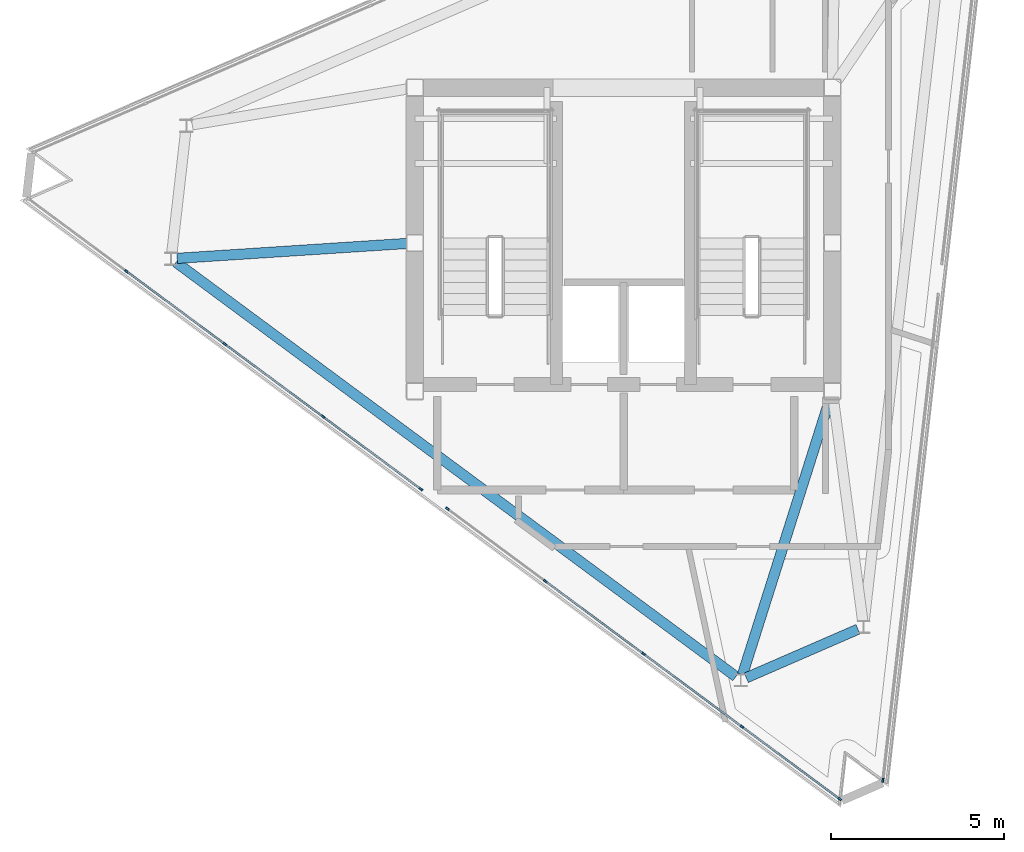
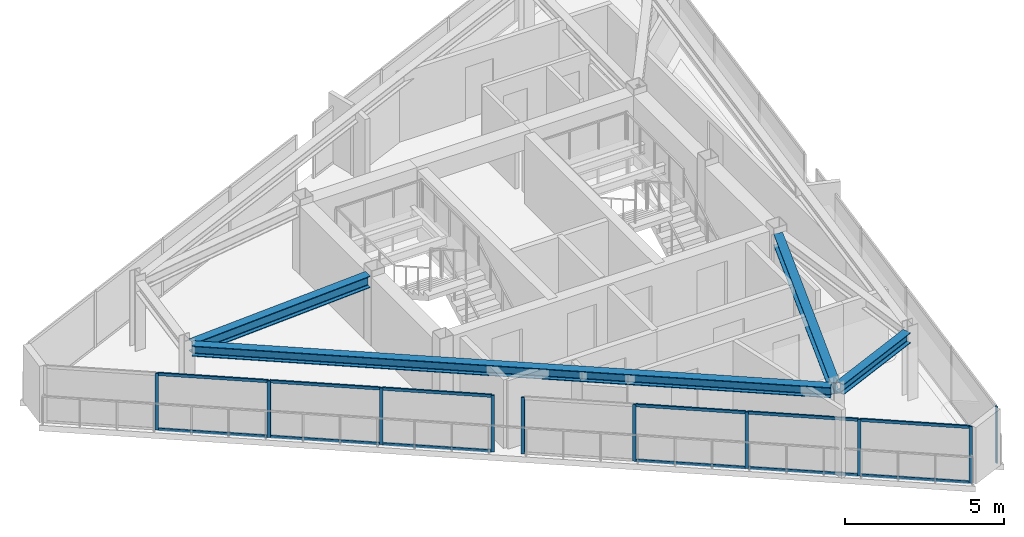
# One storey, part 2 of 9: 22 members, 4 beams, 3 elements without a shape of their own.
"""IFC4 building model written with IfcOpenShell, lengths in metres."""

from ifc_helpers import new_model, si_unit, direction, frame, origin, origin_2d, place, context, subcontext, project, spatial, rectangle, i_section, extrude, material, layer, layer_set, material_profile, profile_set, type_object, element, aggregate, save


model = new_model("IFC4")

# Units and contexts
model_context = context("Model", 3, precision=1e-05, world=origin(), true_north=direction((0.0, 1.0)))
body_context = subcontext(model_context, "Body", "Model", "MODEL_VIEW")
ifc_project = project(units=[si_unit("LENGTHUNIT", "METRE"), si_unit("AREAUNIT", "SQUARE_METRE"), si_unit("VOLUMEUNIT", "CUBIC_METRE"), si_unit("PLANEANGLEUNIT", "RADIAN"), si_unit("MASSUNIT", "GRAM", prefix="KILO")], contexts=[model_context])

# Site, building, storey
site_placement = place(None, origin())
site = spatial("IfcSite", under=ifc_project, at=site_placement, CompositionType="ELEMENT")
building_placement = place(site_placement, origin())
building = spatial("IfcBuilding", under=site, at=building_placement, Name="Rocaltana Carrier Exchange", CompositionType="ELEMENT")
storey_placement = place(building_placement, frame((0.0, 0.0, 249.1201171875)))
storey = spatial("IfcBuildingStorey", under=building, at=storey_placement, Name="L79", CompositionType="ELEMENT", Elevation=249.1201171875)

# Curtain wall, member
ifc_material_1 = material(Name="Aluminium 6063-T6", Category="aluminium")
ifc_layer = layer(ifc_material_1, 0.110107421875)
ifc_layer_set = layer_set([ifc_layer], Name="Aluminium 6063-T6")
curtain_wall_type = type_object("IfcCurtainWallType", Name="Crown Lantern Faceted Curtain Wall CW-06", PredefinedType="NOTDEFINED", material=ifc_layer_set)
curtain_wall_1_placement = place(storey_placement, origin())
curtain_wall_1 = element("IfcCurtainWall", 1, at=curtain_wall_1_placement, inside=storey, type_object=curtain_wall_type, Name="L79 CW-06 Run CW06-L79-F1S1", PredefinedType="NOTDEFINED")
ifc_material_2 = material(Name="Aluminium 6063-T6", Category="aluminium")
ifc_material_profile_1 = material_profile(ifc_material_2, rectangle(XDim=0.054931640625, YDim=0.110107421875, at=origin_2d()), Name="AL-55X110")
ifc_profile_set_1 = profile_set([ifc_material_profile_1], Name="Aluminium 6063-T6")
member_type_1 = type_object("IfcMemberType", Name="CW-06 Mullion AL-55X110", PredefinedType="MULLION", material=ifc_profile_set_1)
member_1_placement = place(storey_placement, frame((7.51611328125, -15.573486328125, 0.0), z_axis=(0.0, 0.0, 1.0), x_axis=(-0.993571723533, 0.113204373575, 0.0)))
member_1 = element("IfcMember", 2, at=member_1_placement, type_object=member_type_1, Name="CW-06 mullion 1", PredefinedType="MULLION", context=body_context, shape_type="SweptSolid", body=[
    extrude(rectangle(XDim=0.054931640625, YDim=0.110107421875, at=origin_2d()), origin(), (0.0, 0.0, 1.0), 2.16796875),
])
aggregate(curtain_wall_1, [member_1])

# Curtain wall, members
curtain_wall_2_placement = place(storey_placement, origin())
curtain_wall_2 = element("IfcCurtainWall", 3, at=curtain_wall_2_placement, inside=storey, type_object=curtain_wall_type, Name="L79 CW-06 Run CW06-L79-F3S1", PredefinedType="NOTDEFINED")
member_2_placement = place(storey_placement, frame((-14.41357421875, -0.817626953125, 0.0), z_axis=(0.0, 0.0, 1.0), x_axis=(0.594822437307, 0.803857119192, 0.0)))
member_2 = element("IfcMember", 4, at=member_2_placement, type_object=member_type_1, Name="CW-06 mullion 2", PredefinedType="MULLION", context=body_context, shape_type="SweptSolid", body=[
    extrude(rectangle(XDim=0.054931640625, YDim=0.110107421875, at=origin_2d()), origin(), (0.0, 0.0, 1.0), 2.16796875),
])
member_3_placement = place(storey_placement, frame((-11.559814453125, -2.929443359375, 0.0), z_axis=(0.0, 0.0, 1.0), x_axis=(0.594822437307, 0.803857119192, 0.0)))
member_3 = element("IfcMember", 5, at=member_3_placement, type_object=member_type_1, Name="CW-06 mullion 3", PredefinedType="MULLION", context=body_context, shape_type="SweptSolid", body=[
    extrude(rectangle(XDim=0.054931640625, YDim=0.110107421875, at=origin_2d()), origin(), (0.0, 0.0, 1.0), 2.16796875),
])
member_4_placement = place(storey_placement, frame((-8.7060546875, -5.041015625, 0.0), z_axis=(0.0, 0.0, 1.0), x_axis=(0.594822437307, 0.803857119192, 0.0)))
member_4 = element("IfcMember", 6, at=member_4_placement, type_object=member_type_1, Name="CW-06 mullion 4", PredefinedType="MULLION", context=body_context, shape_type="SweptSolid", body=[
    extrude(rectangle(XDim=0.054931640625, YDim=0.110107421875, at=origin_2d()), origin(), (0.0, 0.0, 1.0), 2.16796875),
])
member_5_placement = place(storey_placement, frame((-5.87451171875, -7.13623046875, 0.0), z_axis=(0.0, 0.0, 1.0), x_axis=(0.594822437307, 0.803857119192, 0.0)))
member_5 = element("IfcMember", 7, at=member_5_placement, type_object=member_type_1, Name="CW-06 mullion 5", PredefinedType="MULLION", context=body_context, shape_type="SweptSolid", body=[
    extrude(rectangle(XDim=0.054931640625, YDim=0.110107421875, at=origin_2d()), origin(), (0.0, 0.0, 1.0), 2.16796875),
])

curtain_wall_3_placement = place(storey_placement, origin())
curtain_wall_3 = element("IfcCurtainWall", 8, at=curtain_wall_3_placement, inside=storey, type_object=curtain_wall_type, Name="L79 CW-06 Run CW06-L79-F3S2", PredefinedType="NOTDEFINED")
member_6_placement = place(storey_placement, frame((-5.10693359375, -7.704345703125, 0.0), z_axis=(0.0, 0.0, 1.0), x_axis=(0.594822437307, 0.803857119192, 0.0)))
member_6 = element("IfcMember", 9, at=member_6_placement, type_object=member_type_1, Name="CW-06 mullion 1", PredefinedType="MULLION", context=body_context, shape_type="SweptSolid", body=[
    extrude(rectangle(XDim=0.054931640625, YDim=0.110107421875, at=origin_2d()), origin(), (0.0, 0.0, 1.0), 2.16796875),
])
member_7_placement = place(storey_placement, frame((-2.275390625, -9.799560546875, 0.0), z_axis=(0.0, 0.0, 1.0), x_axis=(0.594822437307, 0.803857119192, 0.0)))
member_7 = element("IfcMember", 10, at=member_7_placement, type_object=member_type_1, Name="CW-06 mullion 2", PredefinedType="MULLION", context=body_context, shape_type="SweptSolid", body=[
    extrude(rectangle(XDim=0.054931640625, YDim=0.110107421875, at=origin_2d()), origin(), (0.0, 0.0, 1.0), 2.16796875),
])
member_8_placement = place(storey_placement, frame((0.578369140625, -11.9111328125, 0.0), z_axis=(0.0, 0.0, 1.0), x_axis=(0.594822437307, 0.803857119192, 0.0)))
member_8 = element("IfcMember", 11, at=member_8_placement, type_object=member_type_1, Name="CW-06 mullion 3", PredefinedType="MULLION", context=body_context, shape_type="SweptSolid", body=[
    extrude(rectangle(XDim=0.054931640625, YDim=0.110107421875, at=origin_2d()), origin(), (0.0, 0.0, 1.0), 2.16796875),
])
member_9_placement = place(storey_placement, frame((3.43212890625, -14.022705078125, 0.0), z_axis=(0.0, 0.0, 1.0), x_axis=(0.594822437307, 0.803857119192, 0.0)))
member_9 = element("IfcMember", 12, at=member_9_placement, type_object=member_type_1, Name="CW-06 mullion 4", PredefinedType="MULLION", context=body_context, shape_type="SweptSolid", body=[
    extrude(rectangle(XDim=0.054931640625, YDim=0.110107421875, at=origin_2d()), origin(), (0.0, 0.0, 1.0), 2.16796875),
])
member_10_placement = place(storey_placement, frame((6.263671875, -16.1181640625, 0.0), z_axis=(0.0, 0.0, 1.0), x_axis=(0.594822437307, 0.803857119192, 0.0)))
member_10 = element("IfcMember", 13, at=member_10_placement, type_object=member_type_1, Name="CW-06 mullion 5", PredefinedType="MULLION", context=body_context, shape_type="SweptSolid", body=[
    extrude(rectangle(XDim=0.054931640625, YDim=0.110107421875, at=origin_2d()), origin(), (0.0, 0.0, 1.0), 2.16796875),
])

# Member
ifc_material_3 = material(Name="Aluminium 6063-T6", Category="aluminium")
ifc_material_profile_2 = material_profile(ifc_material_3, rectangle(XDim=0.054931640625, YDim=0.110107421875, at=origin_2d()), Name="AL-55X110")
ifc_profile_set_2 = profile_set([ifc_material_profile_2], Name="Aluminium 6063-T6")
member_type_2 = type_object("IfcMemberType", Name="CW-06 Transom AL-55X110", PredefinedType="USERDEFINED", material=ifc_profile_set_2)
member_11_placement = place(storey_placement, frame((-14.391357421875, -0.833984375, 0.02734375), z_axis=(0.80383922722, -0.594846616181, 0.0), x_axis=(0.594846616181, 0.80383922722, 0.0)))
member_11 = element("IfcMember", 14, at=member_11_placement, type_object=member_type_2, Name="CW-06 transom 2.1", ObjectType="TRANSOM", PredefinedType="USERDEFINED", context=body_context, shape_type="SweptSolid", body=[
    extrude(rectangle(XDim=0.054931640625, YDim=0.110107421875, at=origin_2d()), origin(), (0.0, 0.0, 1.0), 3.4951171875),
])

member_12_placement = place(storey_placement, frame((-14.391357421875, -0.833984375, 2.140380859375), z_axis=(0.80383922722, -0.594846616181, 0.0), x_axis=(0.594846616181, 0.80383922722, 0.0)))
member_12 = element("IfcMember", 15, at=member_12_placement, type_object=member_type_2, Name="CW-06 transom 2.2", ObjectType="TRANSOM", PredefinedType="USERDEFINED", context=body_context, shape_type="SweptSolid", body=[
    extrude(rectangle(XDim=0.054931640625, YDim=0.110107421875, at=origin_2d()), origin(), (0.0, 0.0, 1.0), 3.4951171875),
])

member_13_placement = place(storey_placement, frame((-11.53759765625, -2.94580078125, 0.02734375), z_axis=(0.803847911692, -0.594834880339, 0.0), x_axis=(0.594834880339, 0.803847911692, 0.0)))
member_13 = element("IfcMember", 16, at=member_13_placement, type_object=member_type_2, Name="CW-06 transom 3.1", ObjectType="TRANSOM", PredefinedType="USERDEFINED", context=body_context, shape_type="SweptSolid", body=[
    extrude(rectangle(XDim=0.054931640625, YDim=0.110107421875, at=origin_2d()), origin(), (0.0, 0.0, 1.0), 3.494873046875),
])

member_14_placement = place(storey_placement, frame((-11.53759765625, -2.94580078125, 2.140380859375), z_axis=(0.803847911692, -0.594834880339, 0.0), x_axis=(0.594834880339, 0.803847911692, 0.0)))
member_14 = element("IfcMember", 17, at=member_14_placement, type_object=member_type_2, Name="CW-06 transom 3.2", ObjectType="TRANSOM", PredefinedType="USERDEFINED", context=body_context, shape_type="SweptSolid", body=[
    extrude(rectangle(XDim=0.054931640625, YDim=0.110107421875, at=origin_2d()), origin(), (0.0, 0.0, 1.0), 3.494873046875),
])

member_15_placement = place(storey_placement, frame((-8.68408203125, -5.057373046875, 0.02734375), z_axis=(0.80386142553, -0.594816617577, 0.0), x_axis=(0.594816617577, 0.80386142553, 0.0)))
member_15 = element("IfcMember", 18, at=member_15_placement, type_object=member_type_2, Name="CW-06 transom 4.1", ObjectType="TRANSOM", PredefinedType="USERDEFINED", context=body_context, shape_type="SweptSolid", body=[
    extrude(rectangle(XDim=0.054931640625, YDim=0.110107421875, at=origin_2d()), origin(), (0.0, 0.0, 1.0), 3.467529296875),
])

member_16_placement = place(storey_placement, frame((-8.68408203125, -5.057373046875, 2.140380859375), z_axis=(0.80386142553, -0.594816617577, 0.0), x_axis=(0.594816617577, 0.80386142553, 0.0)))
member_16 = element("IfcMember", 19, at=member_16_placement, type_object=member_type_2, Name="CW-06 transom 4.2", ObjectType="TRANSOM", PredefinedType="USERDEFINED", context=body_context, shape_type="SweptSolid", body=[
    extrude(rectangle(XDim=0.054931640625, YDim=0.110107421875, at=origin_2d()), origin(), (0.0, 0.0, 1.0), 3.467529296875),
])

aggregate(curtain_wall_2, [member_2, member_3, member_4, member_5, member_11, member_12, member_13, member_14, member_15, member_16])

member_17_placement = place(storey_placement, frame((-2.253173828125, -9.81591796875, 0.02734375), z_axis=(0.803872627115, -0.594801478961, 0.0), x_axis=(0.594801478961, 0.803872627115, 0.0)))
member_17 = element("IfcMember", 20, at=member_17_placement, type_object=member_type_2, Name="CW-06 transom 2.1", ObjectType="TRANSOM", PredefinedType="USERDEFINED", context=body_context, shape_type="SweptSolid", body=[
    extrude(rectangle(XDim=0.054931640625, YDim=0.110107421875, at=origin_2d()), origin(), (0.0, 0.0, 1.0), 3.4951171875),
])

member_18_placement = place(storey_placement, frame((-2.253173828125, -9.81591796875, 2.140380859375), z_axis=(0.803872627115, -0.594801478961, 0.0), x_axis=(0.594801478961, 0.803872627115, 0.0)))
member_18 = element("IfcMember", 21, at=member_18_placement, type_object=member_type_2, Name="CW-06 transom 2.2", ObjectType="TRANSOM", PredefinedType="USERDEFINED", context=body_context, shape_type="SweptSolid", body=[
    extrude(rectangle(XDim=0.054931640625, YDim=0.110107421875, at=origin_2d()), origin(), (0.0, 0.0, 1.0), 3.4951171875),
])

member_19_placement = place(storey_placement, frame((0.6005859375, -11.927490234375, 0.02734375), z_axis=(0.803847911692, -0.594834880339, 0.0), x_axis=(0.594834880339, 0.803847911692, 0.0)))
member_19 = element("IfcMember", 22, at=member_19_placement, type_object=member_type_2, Name="CW-06 transom 3.1", ObjectType="TRANSOM", PredefinedType="USERDEFINED", context=body_context, shape_type="SweptSolid", body=[
    extrude(rectangle(XDim=0.054931640625, YDim=0.110107421875, at=origin_2d()), origin(), (0.0, 0.0, 1.0), 3.494873046875),
])

member_20_placement = place(storey_placement, frame((0.6005859375, -11.927490234375, 2.140380859375), z_axis=(0.803847911692, -0.594834880339, 0.0), x_axis=(0.594834880339, 0.803847911692, 0.0)))
member_20 = element("IfcMember", 23, at=member_20_placement, type_object=member_type_2, Name="CW-06 transom 3.2", ObjectType="TRANSOM", PredefinedType="USERDEFINED", context=body_context, shape_type="SweptSolid", body=[
    extrude(rectangle(XDim=0.054931640625, YDim=0.110107421875, at=origin_2d()), origin(), (0.0, 0.0, 1.0), 3.494873046875),
])

member_21_placement = place(storey_placement, frame((3.4541015625, -14.0390625, 0.02734375), z_axis=(0.803852671395, -0.594828448118, 0.0), x_axis=(0.594828448118, 0.803852671395, 0.0)))
member_21 = element("IfcMember", 24, at=member_21_placement, type_object=member_type_2, Name="CW-06 transom 4.1", ObjectType="TRANSOM", PredefinedType="USERDEFINED", context=body_context, shape_type="SweptSolid", body=[
    extrude(rectangle(XDim=0.054931640625, YDim=0.110107421875, at=origin_2d()), origin(), (0.0, 0.0, 1.0), 3.4677734375),
])

member_22_placement = place(storey_placement, frame((3.4541015625, -14.0390625, 2.140380859375), z_axis=(0.803852671395, -0.594828448118, 0.0), x_axis=(0.594828448118, 0.803852671395, 0.0)))
member_22 = element("IfcMember", 25, at=member_22_placement, type_object=member_type_2, Name="CW-06 transom 4.2", ObjectType="TRANSOM", PredefinedType="USERDEFINED", context=body_context, shape_type="SweptSolid", body=[
    extrude(rectangle(XDim=0.054931640625, YDim=0.110107421875, at=origin_2d()), origin(), (0.0, 0.0, 1.0), 3.4677734375),
])

aggregate(curtain_wall_3, [member_6, member_7, member_8, member_9, member_10, member_17, member_18, member_19, member_20, member_21, member_22])

# Beams
ifc_material_4 = material(Name="Steel S460", Category="steel")
ifc_material_profile_3 = material_profile(ifc_material_4, i_section(OverallWidth=0.300048828125, OverallDepth=0.449951171875, WebThickness=0.013916015625, FlangeThickness=0.02587890625, FilletRadius=0.027099609375, at=origin_2d()), Name="HEB450")
ifc_profile_set_3 = profile_set([ifc_material_profile_3], Name="Steel S460")
beam_type_1 = type_object("IfcBeamType", Name="Crown Frame Rafter HEB450", PredefinedType="BEAM", material=ifc_profile_set_3)
beam_1_placement = place(storey_placement, frame((-6.29150390625, -0.015625, 2.4228515625), z_axis=(-0.997900854841, -0.064760203118, 0.0), x_axis=(0.064760203118, -0.997900854841, 0.0)))
element("IfcBeam", 26, at=beam_1_placement, inside=storey, type_object=beam_type_1, Name="CRG-RAD-L79-05", PredefinedType="BEAM", context=body_context, shape_type="SweptSolid", body=[
    extrude(i_section(OverallWidth=0.300048828125, OverallDepth=0.449951171875, WebThickness=0.013916015625, FlangeThickness=0.02587890625, FilletRadius=0.027099609375, at=origin_2d()), origin(), (0.0, 0.0, 1.0), 6.661376953125),
])
beam_2_placement = place(storey_placement, frame((5.976806640625, -4.53076171875, 2.4228515625), z_axis=(-0.302197952625, -0.953245192712, 0.0), x_axis=(0.953245192712, -0.302197952625, 0.0)))
element("IfcBeam", 27, at=beam_2_placement, inside=storey, type_object=beam_type_1, Name="CRG-RAD-L79-06", PredefinedType="BEAM", context=body_context, shape_type="SweptSolid", body=[
    extrude(i_section(OverallWidth=0.300048828125, OverallDepth=0.449951171875, WebThickness=0.013916015625, FlangeThickness=0.02587890625, FilletRadius=0.027099609375, at=origin_2d()), origin(), (0.0, 0.0, 1.0), 8.3681640625),
])
ifc_material_5 = material(Name="Steel S460", Category="steel")
ifc_material_profile_4 = material_profile(ifc_material_5, i_section(OverallWidth=0.300048828125, OverallDepth=0.39990234375, WebThickness=0.013427734375, FlangeThickness=0.02392578125, FilletRadius=0.027099609375, at=origin_2d()), Name="HEB400")
ifc_profile_set_4 = profile_set([ifc_material_profile_4], Name="Steel S460")
beam_type_2 = type_object("IfcBeamType", Name="Crown Ring Beam HEB400", PredefinedType="BEAM", material=ifc_profile_set_4)
beam_3_placement = place(storey_placement, frame((-12.97265625, -0.561767578125, 2.447998046875), z_axis=(0.803856586634, -0.594823157018, 0.0), x_axis=(0.594823157018, 0.803856586634, 0.0)))
element("IfcBeam", 28, at=beam_3_placement, inside=storey, type_object=beam_type_2, Name="CRG-RING-L79-05", PredefinedType="BEAM", context=body_context, shape_type="SweptSolid", body=[
    extrude(i_section(OverallWidth=0.300048828125, OverallDepth=0.39990234375, WebThickness=0.013427734375, FlangeThickness=0.02392578125, FilletRadius=0.027099609375, at=origin_2d()), origin(), (0.0, 0.0, 1.0), 20.18798828125),
])
beam_4_placement = place(storey_placement, frame((3.55517578125, -12.60400390625, 2.447998046875), z_axis=(0.917068957049, 0.398728639574, 0.0), x_axis=(-0.398728639574, 0.917068957049, 0.0)))
element("IfcBeam", 29, at=beam_4_placement, inside=storey, type_object=beam_type_2, Name="CRG-RING-L79-06", PredefinedType="BEAM", context=body_context, shape_type="SweptSolid", body=[
    extrude(i_section(OverallWidth=0.300048828125, OverallDepth=0.39990234375, WebThickness=0.013427734375, FlangeThickness=0.02392578125, FilletRadius=0.027099609375, at=origin_2d()), origin(), (0.0, 0.0, 1.0), 3.531005859375),
])

save(model, "model.ifc")
